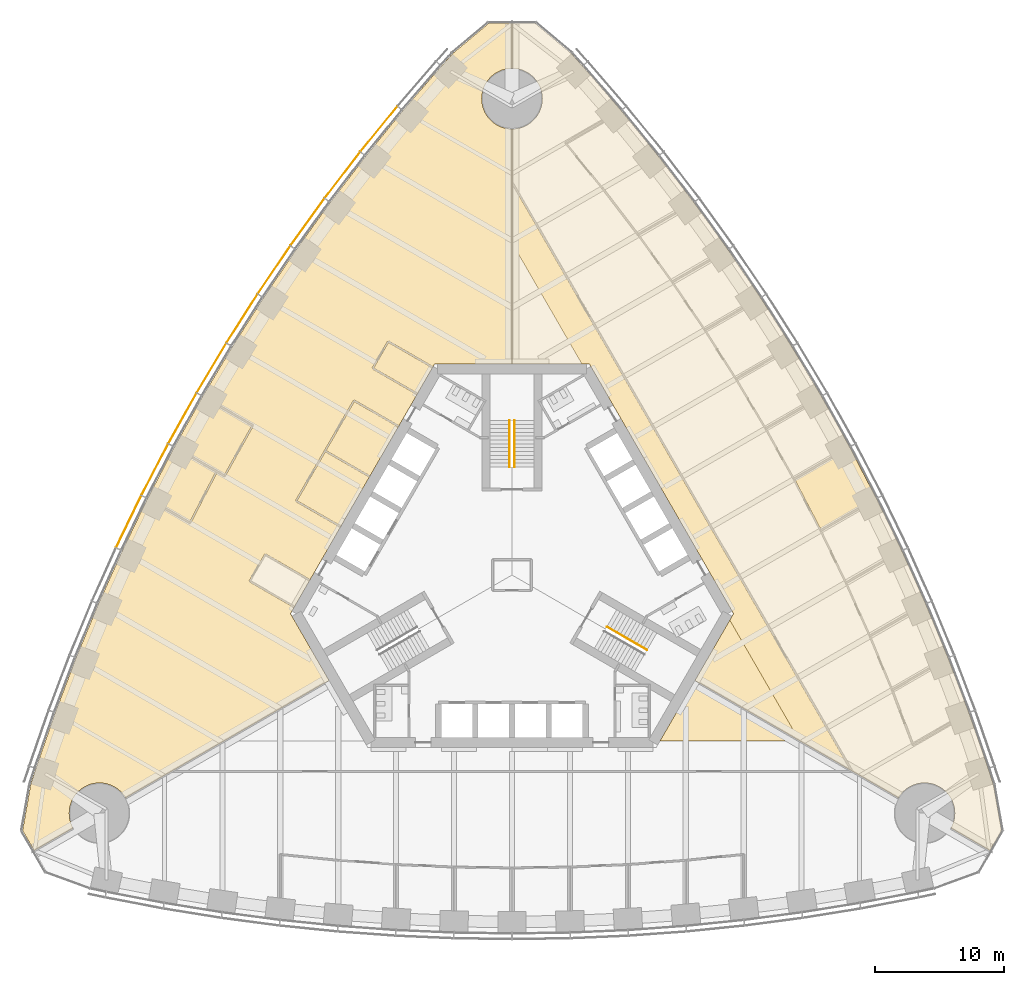
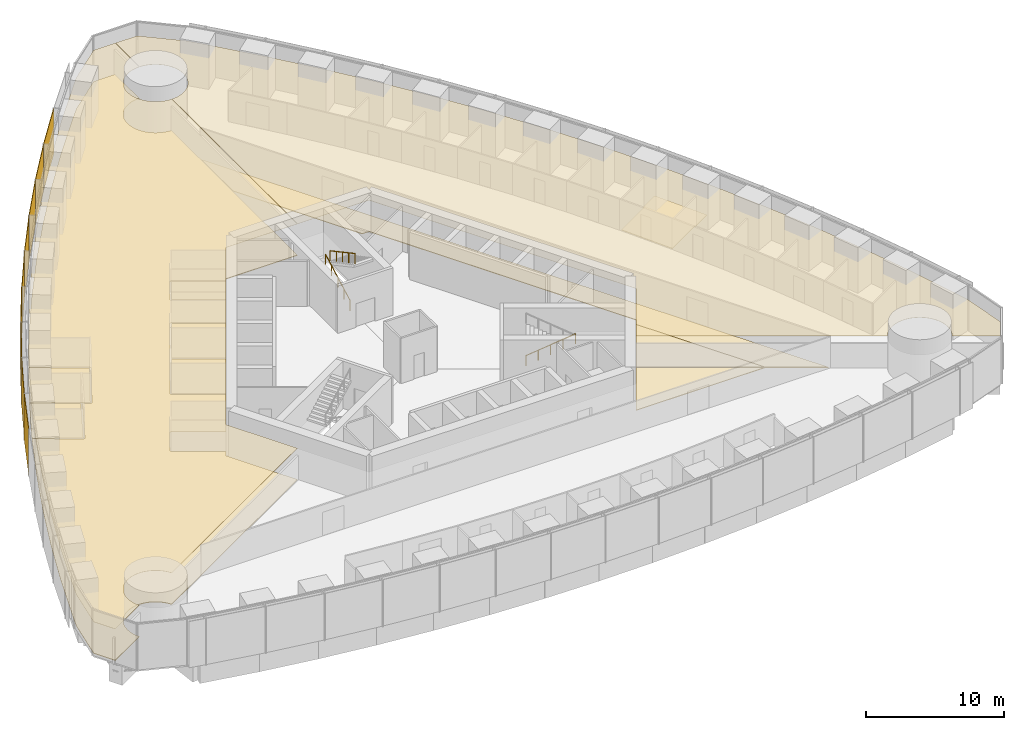
# One storey, part 15 of 18: 12 coverings, 9 shading devices, 3 railings.
"""IFC4 building model written with IfcOpenShell, lengths in metres."""

import ifcopenshell
import ifcopenshell.guid

model = None  # the IFC model being written
_history = None  # IfcOwnerHistory: only IFC2X3 demands one
_inside = {}  # id of a spatial element -> (the spatial element, [elements in it])
_under = {}  # id of a project, library or spatial element -> (it, [spatial elements below it])
_declared = {}  # id of a project -> (the project, [libraries it declares])
_typed = {}  # id of a type object -> (the type object, [elements of that type])
_made_of = {}  # id of a material, layer set ... -> (it, [elements and type objects made of it])


def new_model(schema):
    """Start an empty IFC model of exactly this schema.

    Asked for "IFC4X3", IfcOpenShell would pick the latest addendum, in which some entities
    have other attributes; the version numbers below select the first issue.
    IFC2X3 requires an IfcOwnerHistory on every rooted entity: one is made here for all.
    """
    global model, _history
    if schema == "IFC4X3":
        model = ifcopenshell.file(schema_version=(4, 3, 0, 0))
    else:
        model = ifcopenshell.file(schema=schema)
    _inside.clear()
    _under.clear()
    _declared.clear()
    _typed.clear()
    _made_of.clear()
    _history = None
    if model.schema == "IFC2X3":
        org = make("IfcOrganization", Name="unknown")
        user = make(
            "IfcPersonAndOrganization",
            ThePerson=make("IfcPerson", FamilyName="unknown"),
            TheOrganization=org,
        )
        app = make(
            "IfcApplication",
            ApplicationDeveloper=org,
            Version="unknown",
            ApplicationFullName="unknown",
            ApplicationIdentifier="unknown",
        )
        _history = make(
            "IfcOwnerHistory",
            OwningUser=user,
            OwningApplication=app,
            ChangeAction="ADDED",
            CreationDate=0,
        )
    return model


def make(cls, **values):
    """One entity of the class cls with the attributes given. An attribute that is None is left unset."""
    return model.create_entity(
        cls, **{name: value for name, value in values.items() if value is not None}
    )


def rooted(cls, **values):
    """An entity with a GlobalId (a new one), such as an element, a storey or a relation."""
    return make(cls, GlobalId=ifcopenshell.guid.new(), OwnerHistory=_history, **values)


def si_unit(unit_type, name, prefix=None):
    """IfcSIUnit, for example si_unit("LENGTHUNIT", "METRE", prefix="MILLI")."""
    return make("IfcSIUnit", UnitType=unit_type, Prefix=prefix, Name=name)


def assignment(units):
    """IfcUnitAssignment: the units of a project."""
    return None if units is None else make("IfcUnitAssignment", Units=units)


def point(xyz):
    """IfcCartesianPoint."""
    return None if xyz is None else make("IfcCartesianPoint", Coordinates=xyz)


def direction(xyz):
    """IfcDirection."""
    return None if xyz is None else make("IfcDirection", DirectionRatios=xyz)


def frame(location, z_axis=None, x_axis=None):
    """IfcAxis2Placement3D, a coordinate frame: its origin and axes. An axis left out is left unset."""
    return make(
        "IfcAxis2Placement3D",
        Location=point(location),
        Axis=direction(z_axis),
        RefDirection=direction(x_axis),
    )


def frame_2d(location, x_axis=None):
    """IfcAxis2Placement2D, a coordinate frame in the plane: its origin and x axis."""
    return make(
        "IfcAxis2Placement2D", Location=point(location), RefDirection=direction(x_axis)
    )


def origin():
    """The frame at (0, 0, 0) with its axes left unset."""
    return frame((0.0, 0.0, 0.0))


def origin_2d():
    """The frame at (0, 0) in the plane with its x axis left unset."""
    return frame_2d((0.0, 0.0))


def place(relative_to, where):
    """IfcLocalPlacement: puts the frame where relative to a parent placement (None: the world)."""
    return make(
        "IfcLocalPlacement", PlacementRelTo=relative_to, RelativePlacement=where
    )


def context(
    kind, dimensions, precision=None, world=None, true_north=None, identifier=None
):
    """IfcGeometricRepresentationContext, for example the 3D "Model" context."""
    return make(
        "IfcGeometricRepresentationContext",
        ContextIdentifier=identifier,
        ContextType=kind,
        CoordinateSpaceDimension=dimensions,
        Precision=precision,
        WorldCoordinateSystem=world,
        TrueNorth=true_north,
    )


def subcontext(parent, identifier, kind, view, scale=None):
    """IfcGeometricRepresentationSubContext, for example "Body" below "Model"."""
    return make(
        "IfcGeometricRepresentationSubContext",
        ContextIdentifier=identifier,
        ContextType=kind,
        ParentContext=parent,
        TargetScale=scale,
        TargetView=view,
    )


def project(units=None, contexts=None):
    """IfcProject with its units and contexts."""
    return rooted(
        "IfcProject",
        Name="project",
        RepresentationContexts=contexts,
        UnitsInContext=assignment(units),
    )


def spatial(cls, under=None, at=None, **own):
    """A site, building, storey or space (cls), placed at a placement, below another one or the project."""
    s = rooted(cls, ObjectPlacement=at, **own)
    if under is not None:
        _under.setdefault(under.id(), (under, []))[1].append(s)
    return s


def polyline(points):
    """IfcPolyline through the points."""
    return make("IfcPolyline", Points=[point(p) for p in points])


def profile(cls, at=None, kind="AREA", **sizes):
    """A parametric profile (cls). Its sizes go by their IFC names, for example OverallWidth=200.0."""
    return make(cls, ProfileType=kind, Position=at, **sizes)


def rectangle(**sizes):
    """IfcRectangleProfileDef."""
    return profile("IfcRectangleProfileDef", **sizes)


def circle(**sizes):
    """IfcCircleProfileDef."""
    return profile("IfcCircleProfileDef", **sizes)


def outline(outer, holes=None, kind="AREA"):
    """IfcArbitraryClosedProfileDef: a profile drawn as a closed curve; with holes, ...WithVoids."""
    if holes is None:
        return make("IfcArbitraryClosedProfileDef", ProfileType=kind, OuterCurve=outer)
    return make(
        "IfcArbitraryProfileDefWithVoids",
        ProfileType=kind,
        OuterCurve=outer,
        InnerCurves=holes,
    )


def extrude(swept, where, along, depth):
    """IfcExtrudedAreaSolid: the profile swept, set in the frame where, extruded along a direction by depth."""
    return make(
        "IfcExtrudedAreaSolid",
        SweptArea=swept,
        Position=where,
        ExtrudedDirection=direction(along),
        Depth=depth,
    )


def shape(context_of_items, identifier, shape_type, items):
    """IfcShapeRepresentation: the items that make up one representation, for example the "Body"."""
    return make(
        "IfcShapeRepresentation",
        ContextOfItems=context_of_items,
        RepresentationIdentifier=identifier,
        RepresentationType=shape_type,
        Items=items,
    )


def material(Name=None, Category=None):
    """IfcMaterial."""
    return make("IfcMaterial", Name=Name, Category=Category)


def layer(
    of_material, thickness, ventilated=None, Name=None, Category=None, Priority=None
):
    """IfcMaterialLayer: one layer of a wall or slab, of a material (None: an air gap)."""
    return make(
        "IfcMaterialLayer",
        Material=of_material,
        LayerThickness=thickness,
        IsVentilated=ventilated,
        Name=Name,
        Category=Category,
        Priority=Priority,
    )


def layer_set(layers, Name=None):
    """IfcMaterialLayerSet."""
    return make("IfcMaterialLayerSet", MaterialLayers=layers, LayerSetName=Name)


def made_of(thing, what):
    """Note that an element or type object is made of a material, layer set ...; save() writes the relation."""
    if what is not None:
        _made_of.setdefault(what.id(), (what, []))[1].append(thing)
    return thing


def type_object(cls, material=None, **own):
    """A type object (cls), such as IfcWallType, which elements share."""
    return made_of(rooted(cls, **own), material)


def element(
    cls,
    number,
    at=None,
    inside=None,
    cuts=None,
    type_object=None,
    material=None,
    context=None,
    identifier="Body",
    shape_type=None,
    held_by="IfcProductDefinitionShape",
    body=None,
    shapes=None,
    **own,
):
    """One element of the class cls, such as IfcWall. Its Tag is "e" and its number.

    at: its placement. inside: the storey or other place that contains it. cuts: it is an
    opening in that element (IfcRelVoidsElement). A single representation is given by context,
    identifier, shape_type and body (its items); several are given by shapes. held_by: the class
    of the entity that holds the representations. save() writes the other relations.
    """
    e = rooted(cls, Tag="e%d" % number, ObjectPlacement=at, **own)
    if body is not None:
        shapes = [shape(context, identifier, shape_type, body)]
    if shapes is not None:
        e.Representation = make(held_by, Representations=shapes)
    if inside is not None:
        _inside.setdefault(inside.id(), (inside, []))[1].append(e)
    if cuts is not None:
        rooted(
            "IfcRelVoidsElement", RelatingBuildingElement=cuts, RelatedOpeningElement=e
        )
    if type_object is not None:
        _typed.setdefault(type_object.id(), (type_object, []))[1].append(e)
    return made_of(e, material)


def aggregate(whole, parts):
    """IfcRelAggregates: a whole, such as a stair, and the parts it consists of."""
    return rooted("IfcRelAggregates", RelatingObject=whole, RelatedObjects=parts)


def save(model, path):
    """Write the relations noted so far, then the file.

    IfcRelAggregates (storeys below a building ...), IfcRelContainedInSpatialStructure (elements
    in a storey), IfcRelDefinesByType, IfcRelAssociatesMaterial and IfcRelDeclares: one each for
    every whole, place, type object, material and project.
    """
    for whole, parts in _under.values():
        aggregate(whole, parts)
    for where, things in _inside.values():
        rooted(
            "IfcRelContainedInSpatialStructure",
            RelatedElements=things,
            RelatingStructure=where,
        )
    for kind, things in _typed.values():
        rooted("IfcRelDefinesByType", RelatedObjects=things, RelatingType=kind)
    for what, things in _made_of.values():
        rooted("IfcRelAssociatesMaterial", RelatedObjects=things, RelatingMaterial=what)
    for by, libraries in _declared.values():
        rooted("IfcRelDeclares", RelatingContext=by, RelatedDefinitions=libraries)
    model.write(path)


model = new_model("IFC4")

# Units and contexts
model_context = context("Model", 3, precision=1e-05, world=origin(), true_north=direction((0.0, 1.0)))
body_context = subcontext(model_context, "Body", "Model", "MODEL_VIEW")
ifc_project = project(units=[si_unit("LENGTHUNIT", "METRE"), si_unit("AREAUNIT", "SQUARE_METRE"), si_unit("VOLUMEUNIT", "CUBIC_METRE"), si_unit("PLANEANGLEUNIT", "RADIAN"), si_unit("MASSUNIT", "GRAM", prefix="KILO")], contexts=[model_context])

# Site, building, storey
site_placement = place(None, origin())
site = spatial("IfcSite", under=ifc_project, at=site_placement, CompositionType="ELEMENT")
building_placement = place(site_placement, origin())
building = spatial("IfcBuilding", under=site, at=building_placement, Name="Trefoil Bronze Tower", CompositionType="ELEMENT")
storey_placement = place(building_placement, frame((0.0, 0.0, 62.699951171875)))
storey = spatial("IfcBuildingStorey", under=building, at=storey_placement, Name="L14", CompositionType="ELEMENT", Elevation=62.699951171875)

# Shading devices
ifc_material_1 = material(Name="Perforated bronze sheet", Category="bronze")
ifc_layer_1 = layer(ifc_material_1, 0.0400390625)
ifc_layer_set_1 = layer_set([ifc_layer_1], Name="Bronze solar screen panel")
shading_device_type = type_object("IfcShadingDeviceType", Name="Bronze solar screen panel", PredefinedType="SHUTTER", material=ifc_layer_set_1)
shading_device_1_placement = place(storey_placement, frame((-10.338623046875, 34.6474609375, 0.050048828125), z_axis=(0.0, 0.0, 1.0), x_axis=(-0.631810729457, -0.775122701346, 0.0)))
element("IfcShadingDevice", 1, at=shading_device_1_placement, inside=storey, type_object=shading_device_type, Name="Solar screen CW-A L14 F3 bay 3", PredefinedType="SHUTTER", context=body_context, shape_type="SweptSolid", body=[
    extrude(rectangle(XDim=4.5283203125, YDim=0.0400390625, at=origin_2d()), origin(), (0.0, 0.0, 1.0), 4.10009765625),
])
shading_device_2_placement = place(storey_placement, frame((-13.170166015625, 31.06787109375, 0.050048828125), z_axis=(0.0, 0.0, 1.0), x_axis=(-0.608807670879, -0.793317855515, 0.0)))
element("IfcShadingDevice", 2, at=shading_device_2_placement, inside=storey, type_object=shading_device_type, Name="Solar screen CW-A L14 F3 bay 4", PredefinedType="SHUTTER", context=body_context, shape_type="SweptSolid", body=[
    extrude(rectangle(XDim=4.5087890625, YDim=0.0400390625, at=origin_2d()), origin(), (0.0, 0.0, 1.0), 4.10009765625),
])
shading_device_3_placement = place(storey_placement, frame((-15.88525390625, 27.421142578125, 0.050048828125), z_axis=(0.0, 0.0, 1.0), x_axis=(-0.585372522213, -0.810764460394, 0.0)))
element("IfcShadingDevice", 3, at=shading_device_3_placement, inside=storey, type_object=shading_device_type, Name="Solar screen CW-A L14 F3 bay 5", PredefinedType="SHUTTER", context=body_context, shape_type="SweptSolid", body=[
    extrude(rectangle(XDim=4.493408203125, YDim=0.0400390625, at=origin_2d()), origin(), (0.0, 0.0, 1.0), 4.10009765625),
])
shading_device_4_placement = place(storey_placement, frame((-18.48486328125, 23.707763671875, 0.050048828125), z_axis=(0.0, 0.0, 1.0), x_axis=(-0.56150968077, -0.827470167681, 0.0)))
element("IfcShadingDevice", 4, at=shading_device_4_placement, inside=storey, type_object=shading_device_type, Name="Solar screen CW-A L14 F3 bay 6", PredefinedType="SHUTTER", context=body_context, shape_type="SweptSolid", body=[
    extrude(rectangle(XDim=4.48193359375, YDim=0.0400390625, at=origin_2d()), origin(), (0.0, 0.0, 1.0), 4.10009765625),
])
shading_device_5_placement = place(storey_placement, frame((-20.97021484375, 19.928466796875, 0.050048828125), z_axis=(0.0, 0.0, 1.0), x_axis=(-0.537222392469, -0.843440632783, 0.0)))
element("IfcShadingDevice", 5, at=shading_device_5_placement, inside=storey, type_object=shading_device_type, Name="Solar screen CW-A L14 F3 bay 7", PredefinedType="SHUTTER", context=body_context, shape_type="SweptSolid", body=[
    extrude(rectangle(XDim=4.474365234375, YDim=0.0400390625, at=origin_2d()), origin(), (0.0, 0.0, 1.0), 4.10009765625),
])
for number, where, z_axis, x_axis, name in (
    (6, (-23.341552734375, 16.083251953125, 0.050048828125), (0.0, 0.0, 1.0), (-0.51251279404, -0.858679588639, 0.0), "Solar screen CW-A L14 F3 bay 8"),
    (7, (-25.599365234375, 12.172607421875, 0.050048828125), (0.0, 0.0, 1.0), (-0.487381940453, -0.873188893722, 0.0), "Solar screen CW-A L14 F3 bay 9"),
):
    element("IfcShadingDevice", number, at=place(storey_placement, frame(where, z_axis=z_axis, x_axis=x_axis)), inside=storey, type_object=shading_device_type, Name=name, PredefinedType="SHUTTER", context=body_context, shape_type="SweptSolid", body=[
        extrude(rectangle(XDim=4.470458984375, YDim=0.0400390625, at=origin_2d()), origin(), (0.0, 0.0, 1.0), 4.10009765625),
    ])
shading_device_6_placement = place(storey_placement, frame((-27.74365234375, 8.1962890625, 0.050048828125), z_axis=(0.0, 0.0, 1.0), x_axis=(-0.46182981834, -0.886968555752, 0.0)))
element("IfcShadingDevice", 8, at=shading_device_6_placement, inside=storey, type_object=shading_device_type, Name="Solar screen CW-A L14 F3 bay 10", PredefinedType="SHUTTER", context=body_context, shape_type="SweptSolid", body=[
    extrude(rectangle(XDim=4.474365234375, YDim=0.0400390625, at=origin_2d()), origin(), (0.0, 0.0, 1.0), 4.10009765625),
])
shading_device_7_placement = place(storey_placement, frame((-29.77392578125, 4.154541015625, 0.050048828125), z_axis=(0.0, 0.0, 1.0), x_axis=(-0.4358553457, -0.900016731858, 0.0)))
element("IfcShadingDevice", 9, at=shading_device_7_placement, inside=storey, type_object=shading_device_type, Name="Solar screen CW-A L14 F3 bay 11", PredefinedType="SHUTTER", context=body_context, shape_type="SweptSolid", body=[
    extrude(rectangle(XDim=4.48193359375, YDim=0.0400390625, at=origin_2d()), origin(), (0.0, 0.0, 1.0), 4.10009765625),
])

# Railings
ifc_material_2 = material(Name="Steel handrail", Category="steel")
railing_type = type_object("IfcRailingType", Name="Handrail 900", PredefinedType="HANDRAIL", material=ifc_material_2)
railing_1_placement = place(storey_placement, frame((7.365966796875, -4.021728515625, 0.16162109375)))
element("IfcRailing", 10, at=railing_1_placement, inside=storey, type_object=railing_type, Name="Handrail ST1 flight 1 L14", PredefinedType="HANDRAIL", context=body_context, shape_type="SweptSolid", body=[
    extrude(circle(Radius=0.02392578125, at=origin_2d()), frame((0.0, 0.0, 0.8759765625), z_axis=(0.76250339821, -0.440245697338, 0.474101564745), x_axis=(0.500012057535, 0.866018442252, 0.0)), (0.0, 0.0, 1.0), 4.088623046875),
    extrude(circle(Radius=0.02099609375, at=origin_2d()), origin(), (0.0, 0.0, 1.0), 0.851806640625),
    extrude(circle(Radius=0.02099609375, at=origin_2d()), frame((0.779296875, -0.449951171875, 0.484619140625)), (0.0, 0.0, 1.0), 0.851806640625),
    extrude(circle(Radius=0.02099609375, at=origin_2d()), frame((1.558837890625, -0.89990234375, 0.96923828125)), (0.0, 0.0, 1.0), 0.851806640625),
    extrude(circle(Radius=0.02099609375, at=origin_2d()), frame((2.33837890625, -1.35009765625, 1.453857421875)), (0.0, 0.0, 1.0), 0.851806640625),
    extrude(circle(Radius=0.02099609375, at=origin_2d()), frame((3.11767578125, -1.800048828125, 1.9384765625)), (0.0, 0.0, 1.0), 0.851806640625),
])
railing_2_placement = place(storey_placement, frame((-0.199951171875, 8.389892578125, 0.16162109375)))
element("IfcRailing", 11, at=railing_2_placement, inside=storey, type_object=railing_type, Name="Handrail ST2 flight 1 L14", PredefinedType="HANDRAIL", context=body_context, shape_type="SweptSolid", body=[
    extrude(circle(Radius=0.02392578125, at=origin_2d()), frame((0.0, 0.0, 0.8759765625), z_axis=(0.0, 0.880474934443, 0.474092701714), x_axis=(-1.0, 0.0, 0.0)), (0.0, 0.0, 1.0), 4.0888671875),
    extrude(circle(Radius=0.02099609375, at=origin_2d()), origin(), (0.0, 0.0, 1.0), 0.851806640625),
    extrude(circle(Radius=0.02099609375, at=origin_2d()), frame((0.0, 0.89990234375, 0.484619140625)), (0.0, 0.0, 1.0), 0.851806640625),
    extrude(circle(Radius=0.02099609375, at=origin_2d()), frame((0.0, 1.800048828125, 0.96923828125)), (0.0, 0.0, 1.0), 0.851806640625),
    extrude(circle(Radius=0.02099609375, at=origin_2d()), frame((0.0, 2.7001953125, 1.453857421875)), (0.0, 0.0, 1.0), 0.851806640625),
    extrude(circle(Radius=0.02099609375, at=origin_2d()), frame((0.0, 3.60009765625, 1.9384765625)), (0.0, 0.0, 1.0), 0.851806640625),
])
railing_3_placement = place(storey_placement, frame((0.199951171875, 11.989990234375, 2.261474609375)))
element("IfcRailing", 12, at=railing_3_placement, inside=storey, type_object=railing_type, Name="Handrail ST2 flight 2 L14", PredefinedType="HANDRAIL", context=body_context, shape_type="SweptSolid", body=[
    extrude(circle(Radius=0.02392578125, at=origin_2d()), frame((0.0, 0.0, 0.8759765625), z_axis=(0.0, -0.880474934443, 0.474092701714), x_axis=(1.0, 0.0, 0.0)), (0.0, 0.0, 1.0), 4.0888671875),
    extrude(circle(Radius=0.02099609375, at=origin_2d()), origin(), (0.0, 0.0, 1.0), 0.851806640625),
    extrude(circle(Radius=0.02099609375, at=origin_2d()), frame((0.0, -0.89990234375, 0.484619140625)), (0.0, 0.0, 1.0), 0.851806640625),
    extrude(circle(Radius=0.02099609375, at=origin_2d()), frame((0.0, -1.800048828125, 0.96923828125)), (0.0, 0.0, 1.0), 0.851806640625),
    extrude(circle(Radius=0.02099609375, at=origin_2d()), frame((0.0, -2.7001953125, 1.453857421875)), (0.0, 0.0, 1.0), 0.851806640625),
    extrude(circle(Radius=0.02099609375, at=origin_2d()), frame((0.0, -3.60009765625, 1.9384765625)), (0.0, 0.0, 1.0), 0.851806640625),
])

# Coverings
ifc_material_3 = material(Name="Acoustic ceiling panels", Category="mineral fibre")
ifc_layer_2 = layer(ifc_material_3, 0.02001953125)
ifc_layer_set_2 = layer_set([ifc_layer_2], Name="Office ceiling 20")
covering_type_1 = type_object("IfcCoveringType", Name="Office ceiling 20", PredefinedType="CEILING", material=ifc_layer_set_2)
covering_1_placement = place(storey_placement, frame((0.0, 0.0, 2.900146484375)))
element("IfcCovering", 13, at=covering_1_placement, inside=storey, type_object=covering_type_1, Name="Ceiling L14 Open-plan office F2", PredefinedType="CEILING", context=body_context, shape_type="SweptSolid", body=[
    extrude(outline(polyline([(5.4814453125, 39.537841796875), (8.47998046875, 36.072998046875), (11.360107421875, 32.53955078125), (14.123291015625, 28.938720703125), (16.771240234375, 25.271484375), (19.3046875, 21.537841796875), (21.724609375, 17.73876953125), (24.031005859375, 13.87451171875), (26.224609375, 9.944580078125), (28.3046875, 5.949462890625), (30.271240234375, 1.888671875), (32.123291015625, -2.23828125), (33.860107421875, -6.431640625), (35.47998046875, -10.6923828125), (36.9814453125, -15.021728515625), (37.381103515625, -16.248779296875), (38.0146484375, -19.841552734375), (37.110595703125, -21.4072265625), (34.084716796875, -19.661865234375), (34.115478515625, -19.60791015625), (34.167236328125, -19.5048828125), (34.214111328125, -19.3994140625), (34.255615234375, -19.291748046875), (34.291748046875, -19.18212890625), (34.322509765625, -19.071044921875), (34.347900390625, -18.95849609375), (34.367431640625, -18.8447265625), (34.381591796875, -18.730224609375), (34.39013671875, -18.615234375), (34.392822265625, -18.5), (34.39013671875, -18.384765625), (34.381591796875, -18.269775390625), (34.367431640625, -18.1552734375), (34.347900390625, -18.04150390625), (34.322509765625, -17.928955078125), (34.291748046875, -17.81787109375), (34.255615234375, -17.708251953125), (34.214111328125, -17.6005859375), (34.167236328125, -17.4951171875), (34.115478515625, -17.39208984375), (34.05859375, -17.2919921875), (33.996826171875, -17.1943359375), (33.930419921875, -17.10009765625), (33.859619140625, -17.00927734375), (33.7841796875, -16.921875), (33.70458984375, -16.83837890625), (33.62109375, -16.7587890625), (33.53369140625, -16.683349609375), (33.44287109375, -16.612548828125), (33.348388671875, -16.5458984375), (33.251220703125, -16.484375), (33.150634765625, -16.427490234375), (33.047607421875, -16.37548828125), (32.942138671875, -16.328857421875), (32.834716796875, -16.287353515625), (32.72509765625, -16.251220703125), (32.614013671875, -16.220458984375), (32.50146484375, -16.1953125), (32.3876953125, -16.17529296875), (32.273193359375, -16.161376953125), (32.158203125, -16.15283203125), (32.04296875, -16.14990234375), (31.927490234375, -16.15283203125), (31.8125, -16.161376953125), (31.697998046875, -16.17529296875), (31.58447265625, -16.1953125), (31.471923828125, -16.220458984375), (31.36083984375, -16.251220703125), (31.251220703125, -16.287353515625), (31.1435546875, -16.328857421875), (31.0380859375, -16.37548828125), (30.935302734375, -16.427490234375), (30.834716796875, -16.484375), (30.7373046875, -16.5458984375), (30.64306640625, -16.612548828125), (30.552001953125, -16.683349609375), (30.46484375, -16.7587890625), (30.381103515625, -16.83837890625), (30.3017578125, -16.921875), (30.226318359375, -17.00927734375), (30.155517578125, -17.10009765625), (30.089111328125, -17.1943359375), (30.02734375, -17.2919921875), (30.0146484375, -17.31396484375), (14.205810546875, -8.194580078125), (17.205078125, -3.0), (6.00439453125, 16.39990234375), (0.006103515625, 16.39990234375), (0.012939453125, 34.650390625), (0.115234375, 34.65283203125), (0.230224609375, 34.661376953125), (0.3447265625, 34.67529296875), (0.45849609375, 34.6953125), (0.571044921875, 34.720458984375), (0.68212890625, 34.751220703125), (0.791748046875, 34.787353515625), (0.8994140625, 34.828857421875), (1.0048828125, 34.87548828125), (1.10791015625, 34.927490234375), (1.2080078125, 34.984375), (1.3056640625, 35.0458984375), (1.39990234375, 35.112548828125), (1.49072265625, 35.183349609375), (1.578125, 35.2587890625), (1.66162109375, 35.33837890625), (1.7412109375, 35.421875), (1.816650390625, 35.50927734375), (1.887451171875, 35.60009765625), (1.9541015625, 35.6943359375), (2.015625, 35.7919921875), (2.072509765625, 35.89208984375), (2.12451171875, 35.9951171875), (2.171142578125, 36.1005859375), (2.212646484375, 36.208251953125), (2.248779296875, 36.31787109375), (2.279541015625, 36.428955078125), (2.3046875, 36.54150390625), (2.32470703125, 36.6552734375), (2.338623046875, 36.769775390625), (2.34716796875, 36.884765625), (2.35009765625, 37.0), (2.34716796875, 37.115234375), (2.338623046875, 37.230224609375), (2.32470703125, 37.3447265625), (2.3046875, 37.45849609375), (2.279541015625, 37.571044921875), (2.248779296875, 37.68212890625), (2.212646484375, 37.791748046875), (2.171142578125, 37.8994140625), (2.12451171875, 38.0048828125), (2.072509765625, 38.10791015625), (2.015625, 38.2080078125), (1.9541015625, 38.3056640625), (1.887451171875, 38.39990234375), (1.816650390625, 38.49072265625), (1.7412109375, 38.578125), (1.66162109375, 38.66162109375), (1.578125, 38.7412109375), (1.49072265625, 38.816650390625), (1.39990234375, 38.887451171875), (1.3056640625, 38.9541015625), (1.2080078125, 39.015625), (1.10791015625, 39.072509765625), (1.0048828125, 39.12451171875), (0.8994140625, 39.171142578125), (0.791748046875, 39.212646484375), (0.68212890625, 39.248779296875), (0.571044921875, 39.279541015625), (0.45849609375, 39.3046875), (0.3447265625, 39.32470703125), (0.230224609375, 39.338623046875), (0.115234375, 39.34716796875), (0.014892578125, 39.349609375), (0.01611328125, 42.84228515625), (1.82421875, 42.84228515625), (4.618896484375, 40.497314453125), (5.4814453125, 39.537841796875)])), origin(), (0.0, 0.0, 1.0), 0.02001953125),
])
covering_2_placement = place(storey_placement, frame((0.0, 0.0, 2.900146484375)))
element("IfcCovering", 14, at=covering_2_placement, inside=storey, type_object=covering_type_1, Name="Ceiling L14 Workspace F3", PredefinedType="CEILING", context=body_context, shape_type="SweptSolid", body=[
    extrude(outline(polyline([(-36.9814453125, -15.021728515625), (-35.47998046875, -10.6923828125), (-33.860107421875, -6.431640625), (-32.123291015625, -2.23828125), (-30.271240234375, 1.888671875), (-28.3046875, 5.949462890625), (-26.224609375, 9.944580078125), (-24.031005859375, 13.87451171875), (-21.724609375, 17.73876953125), (-19.3046875, 21.537841796875), (-16.771240234375, 25.271484375), (-14.123291015625, 28.938720703125), (-11.360107421875, 32.53955078125), (-8.47998046875, 36.072998046875), (-5.4814453125, 39.537841796875), (-4.618896484375, 40.497314453125), (-1.82421875, 42.84228515625), (-0.01611328125, 42.84228515625), (-0.014892578125, 39.349609375), (-0.115234375, 39.34716796875), (-0.230224609375, 39.338623046875), (-0.3447265625, 39.32470703125), (-0.45849609375, 39.3046875), (-0.571044921875, 39.279541015625), (-0.68212890625, 39.248779296875), (-0.791748046875, 39.212646484375), (-0.8994140625, 39.171142578125), (-1.0048828125, 39.12451171875), (-1.10791015625, 39.072509765625), (-1.2080078125, 39.015625), (-1.3056640625, 38.9541015625), (-1.39990234375, 38.887451171875), (-1.49072265625, 38.816650390625), (-1.578125, 38.7412109375), (-1.66162109375, 38.66162109375), (-1.7412109375, 38.578125), (-1.816650390625, 38.49072265625), (-1.887451171875, 38.39990234375), (-1.9541015625, 38.3056640625), (-2.015625, 38.2080078125), (-2.072509765625, 38.10791015625), (-2.12451171875, 38.0048828125), (-2.171142578125, 37.8994140625), (-2.212646484375, 37.791748046875), (-2.248779296875, 37.68212890625), (-2.279541015625, 37.571044921875), (-2.3046875, 37.45849609375), (-2.32470703125, 37.3447265625), (-2.338623046875, 37.230224609375), (-2.34716796875, 37.115234375), (-2.35009765625, 37.0), (-2.34716796875, 36.884765625), (-2.338623046875, 36.769775390625), (-2.32470703125, 36.6552734375), (-2.3046875, 36.54150390625), (-2.279541015625, 36.428955078125), (-2.248779296875, 36.31787109375), (-2.212646484375, 36.208251953125), (-2.171142578125, 36.1005859375), (-2.12451171875, 35.9951171875), (-2.072509765625, 35.89208984375), (-2.015625, 35.7919921875), (-1.9541015625, 35.6943359375), (-1.887451171875, 35.60009765625), (-1.816650390625, 35.50927734375), (-1.7412109375, 35.421875), (-1.66162109375, 35.33837890625), (-1.578125, 35.2587890625), (-1.49072265625, 35.183349609375), (-1.39990234375, 35.112548828125), (-1.3056640625, 35.0458984375), (-1.2080078125, 34.984375), (-1.10791015625, 34.927490234375), (-1.0048828125, 34.87548828125), (-0.8994140625, 34.828857421875), (-0.791748046875, 34.787353515625), (-0.68212890625, 34.751220703125), (-0.571044921875, 34.720458984375), (-0.45849609375, 34.6953125), (-0.3447265625, 34.67529296875), (-0.230224609375, 34.661376953125), (-0.115234375, 34.65283203125), (-0.012939453125, 34.650390625), (-0.006103515625, 16.39990234375), (-6.00439453125, 16.39990234375), (-17.205078125, -3.0), (-14.205810546875, -8.194580078125), (-30.0146484375, -17.31396484375), (-30.02734375, -17.2919921875), (-30.089111328125, -17.1943359375), (-30.155517578125, -17.10009765625), (-30.226318359375, -17.00927734375), (-30.3017578125, -16.921875), (-30.381103515625, -16.83837890625), (-30.46484375, -16.7587890625), (-30.552001953125, -16.683349609375), (-30.64306640625, -16.612548828125), (-30.7373046875, -16.5458984375), (-30.834716796875, -16.484375), (-30.935302734375, -16.427490234375), (-31.0380859375, -16.37548828125), (-31.1435546875, -16.328857421875), (-31.251220703125, -16.287353515625), (-31.36083984375, -16.251220703125), (-31.471923828125, -16.220458984375), (-31.58447265625, -16.1953125), (-31.697998046875, -16.17529296875), (-31.8125, -16.161376953125), (-31.927490234375, -16.15283203125), (-32.04296875, -16.14990234375), (-32.158203125, -16.15283203125), (-32.273193359375, -16.161376953125), (-32.3876953125, -16.17529296875), (-32.50146484375, -16.1953125), (-32.614013671875, -16.220458984375), (-32.72509765625, -16.251220703125), (-32.834716796875, -16.287353515625), (-32.942138671875, -16.328857421875), (-33.047607421875, -16.37548828125), (-33.150634765625, -16.427490234375), (-33.251220703125, -16.484375), (-33.348388671875, -16.5458984375), (-33.44287109375, -16.612548828125), (-33.53369140625, -16.683349609375), (-33.62109375, -16.7587890625), (-33.70458984375, -16.83837890625), (-33.7841796875, -16.921875), (-33.859619140625, -17.00927734375), (-33.930419921875, -17.10009765625), (-33.996826171875, -17.1943359375), (-34.05859375, -17.2919921875), (-34.115478515625, -17.39208984375), (-34.167236328125, -17.4951171875), (-34.214111328125, -17.6005859375), (-34.255615234375, -17.708251953125), (-34.291748046875, -17.81787109375), (-34.322509765625, -17.928955078125), (-34.347900390625, -18.04150390625), (-34.367431640625, -18.1552734375), (-34.381591796875, -18.269775390625), (-34.39013671875, -18.384765625), (-34.392822265625, -18.5), (-34.39013671875, -18.615234375), (-34.381591796875, -18.730224609375), (-34.367431640625, -18.8447265625), (-34.347900390625, -18.95849609375), (-34.322509765625, -19.071044921875), (-34.291748046875, -19.18212890625), (-34.255615234375, -19.291748046875), (-34.214111328125, -19.3994140625), (-34.167236328125, -19.5048828125), (-34.115478515625, -19.60791015625), (-34.084716796875, -19.661865234375), (-37.110595703125, -21.4072265625), (-38.0146484375, -19.841552734375), (-37.381103515625, -16.248779296875), (-36.9814453125, -15.021728515625)])), origin(), (0.0, 0.0, 1.0), 0.02001953125),
])
ifc_material_4 = material(Name="Raised access floor panels", Category="steel")
ifc_layer_3 = layer(ifc_material_4, 0.050048828125)
ifc_layer_set_3 = layer_set([ifc_layer_3], Name="Raised access floor 150")
covering_type_2 = type_object("IfcCoveringType", Name="Raised access floor 150", PredefinedType="FLOORING", material=ifc_layer_set_3)
covering_3_placement = place(storey_placement, frame((0.0, 0.0, 0.10009765625)))
element("IfcCovering", 15, at=covering_3_placement, inside=storey, type_object=covering_type_2, Name="Raised floor L14 Open-plan office F1", PredefinedType="FLOORING", context=body_context, shape_type="SweptSolid", body=[
    extrude(outline(polyline([(14.19970703125, -8.205322265625), (22.32421875, -12.89990234375), (11.4892578125, -12.89990234375), (14.19970703125, -8.205322265625)])), origin(), (0.0, 0.0, 1.0), 0.050048828125),
])
covering_4_placement = place(storey_placement, frame((0.0, 0.0, 0.10009765625)))
element("IfcCovering", 16, at=covering_4_placement, inside=storey, type_object=covering_type_2, Name="Raised floor L14 Office F2", PredefinedType="FLOORING", context=body_context, shape_type="SweptSolid", body=[
    extrude(outline(polyline([(26.224609375, 9.944580078125), (28.3046875, 5.949462890625), (26.890869140625, 5.133056640625), (26.86083984375, 5.18505859375), (23.998779296875, 3.53271484375), (21.97412109375, 7.42138671875), (24.84228515625, 9.077392578125), (24.812255859375, 9.12939453125), (26.224609375, 9.944580078125)])), origin(), (0.0, 0.0, 1.0), 0.050048828125),
])
covering_5_placement = place(storey_placement, frame((0.0, 0.0, 0.10009765625)))
element("IfcCovering", 17, at=covering_5_placement, inside=storey, type_object=covering_type_2, Name="Raised floor L14 Corridor F2", PredefinedType="FLOORING", context=body_context, shape_type="SweptSolid", body=[
    extrude(outline(polyline([(26.31591796875, -15.180419921875), (22.333740234375, -12.88330078125), (16.91650390625, -3.5), (17.205078125, -3.0), (6.00439453125, 16.39990234375), (5.427001953125, 16.39990234375), (0.009765625, 25.783203125), (0.011474609375, 30.38037109375), (26.31591796875, -15.180419921875)])), origin(), (0.0, 0.0, 1.0), 0.050048828125),
])
covering_6_placement = place(storey_placement, frame((0.0, 0.0, 0.10009765625)))
element("IfcCovering", 18, at=covering_6_placement, inside=storey, type_object=covering_type_2, Name="Raised floor L14 Open-plan office F2", PredefinedType="FLOORING", context=body_context, shape_type="SweptSolid", body=[
    extrude(outline(polyline([(22.333740234375, -12.88330078125), (14.205810546875, -8.194580078125), (16.91650390625, -3.5), (22.333740234375, -12.88330078125)])), origin(), (0.0, 0.0, 1.0), 0.050048828125),
])
covering_7_placement = place(storey_placement, frame((0.0, 0.0, 0.10009765625)))
element("IfcCovering", 19, at=covering_7_placement, inside=storey, type_object=covering_type_2, Name="Raised floor L14 Project room F3", PredefinedType="FLOORING", context=body_context, shape_type="SweptSolid", body=[
    extrude(outline(polyline([(-11.024658203125, 7.70458984375), (-14.43701171875, 9.674560546875), (-12.246826171875, 13.4677734375), (-8.834716796875, 11.497802734375), (-11.024658203125, 7.70458984375)])), origin(), (0.0, 0.0, 1.0), 0.050048828125),
])
covering_8_placement = place(storey_placement, frame((0.0, 0.0, 0.10009765625)))
element("IfcCovering", 20, at=covering_8_placement, inside=storey, type_object=covering_type_2, Name="Raised floor L14 Project room F3", PredefinedType="FLOORING", context=body_context, shape_type="SweptSolid", body=[
    extrude(outline(polyline([(-13.274658203125, 3.8076171875), (-16.68701171875, 5.777587890625), (-14.496826171875, 9.57080078125), (-11.084716796875, 7.6005859375), (-13.274658203125, 3.8076171875)])), origin(), (0.0, 0.0, 1.0), 0.050048828125),
])
covering_9_placement = place(storey_placement, frame((0.0, 0.0, 0.10009765625)))
element("IfcCovering", 21, at=covering_9_placement, inside=storey, type_object=covering_type_2, Name="Raised floor L14 Comms room F3", PredefinedType="FLOORING", context=body_context, shape_type="SweptSolid", body=[
    extrude(outline(polyline([(-7.32470703125, 14.11328125), (-10.73681640625, 16.083251953125), (-9.596923828125, 18.0576171875), (-6.184814453125, 16.087646484375), (-7.32470703125, 14.11328125)])), origin(), (0.0, 0.0, 1.0), 0.050048828125),
])
covering_10_placement = place(storey_placement, frame((0.0, 0.0, 0.10009765625)))
element("IfcCovering", 22, at=covering_10_placement, inside=storey, type_object=covering_type_2, Name="Raised floor L14 Project room F3", PredefinedType="FLOORING", context=body_context, shape_type="SweptSolid", body=[
    extrude(outline(polyline([(-26.224609375, 9.944580078125), (-24.031005859375, 13.87451171875), (-22.619384765625, 13.059326171875), (-22.6494140625, 13.00732421875), (-20.215087890625, 11.60205078125), (-22.35009765625, 7.777099609375), (-24.7822265625, 9.18115234375), (-24.812255859375, 9.12939453125), (-26.224609375, 9.944580078125)])), origin(), (0.0, 0.0, 1.0), 0.050048828125),
])
covering_11_placement = place(storey_placement, frame((0.0, 0.0, 0.10009765625)))
element("IfcCovering", 23, at=covering_11_placement, inside=storey, type_object=covering_type_2, Name="Raised floor L14 Pantry F3", PredefinedType="FLOORING", context=body_context, shape_type="SweptSolid", body=[
    extrude(outline(polyline([(-28.3046875, 5.949462890625), (-26.224609375, 9.944580078125), (-24.812255859375, 9.12939453125), (-24.84228515625, 9.077392578125), (-23.013427734375, 8.021484375), (-25.0380859375, 4.1328125), (-26.86083984375, 5.18505859375), (-26.890869140625, 5.133056640625), (-28.3046875, 5.949462890625)])), origin(), (0.0, 0.0, 1.0), 0.050048828125),
])
covering_12_placement = place(storey_placement, frame((0.0, 0.0, 0.10009765625)))
element("IfcCovering", 24, at=covering_12_placement, inside=storey, type_object=covering_type_2, Name="Raised floor L14 Workspace F3", PredefinedType="FLOORING", context=body_context, shape_type="SweptSolid", body=[
    extrude(outline(polyline([(-30.271240234375, 1.888671875), (-28.3046875, 5.949462890625), (-26.890869140625, 5.133056640625), (-26.9208984375, 5.0810546875), (-25.043701171875, 3.99755859375), (-25.013916015625, 4.04931640625), (-24.960693359375, 4.021728515625), (-22.909423828125, 7.961181640625), (-22.357421875, 7.642578125), (-22.327392578125, 7.694580078125), (-22.27490234375, 7.665283203125), (-20.08154296875, 11.59521484375), (-20.134033203125, 11.62451171875), (-20.10400390625, 11.67626953125), (-22.589599609375, 13.111328125), (-22.619384765625, 13.059326171875), (-24.031005859375, 13.87451171875), (-21.724609375, 17.73876953125), (-19.3046875, 21.537841796875), (-16.771240234375, 25.271484375), (-14.123291015625, 28.938720703125), (-11.360107421875, 32.53955078125), (-8.47998046875, 36.072998046875), (-5.4814453125, 39.537841796875), (-4.618896484375, 40.497314453125), (-1.82421875, 42.84228515625), (-0.01611328125, 42.84228515625), (-0.014892578125, 39.349609375), (-0.115234375, 39.34716796875), (-0.230224609375, 39.338623046875), (-0.3447265625, 39.32470703125), (-0.45849609375, 39.3046875), (-0.571044921875, 39.279541015625), (-0.68212890625, 39.248779296875), (-0.791748046875, 39.212646484375), (-0.8994140625, 39.171142578125), (-1.0048828125, 39.12451171875), (-1.10791015625, 39.072509765625), (-1.2080078125, 39.015625), (-1.3056640625, 38.9541015625), (-1.39990234375, 38.887451171875), (-1.49072265625, 38.816650390625), (-1.578125, 38.7412109375), (-1.66162109375, 38.66162109375), (-1.7412109375, 38.578125), (-1.816650390625, 38.49072265625), (-1.887451171875, 38.39990234375), (-1.9541015625, 38.3056640625), (-2.015625, 38.2080078125), (-2.072509765625, 38.10791015625), (-2.12451171875, 38.0048828125), (-2.171142578125, 37.8994140625), (-2.212646484375, 37.791748046875), (-2.248779296875, 37.68212890625), (-2.279541015625, 37.571044921875), (-2.3046875, 37.45849609375), (-2.32470703125, 37.3447265625), (-2.338623046875, 37.230224609375), (-2.34716796875, 37.115234375), (-2.35009765625, 37.0), (-2.34716796875, 36.884765625), (-2.338623046875, 36.769775390625), (-2.32470703125, 36.6552734375), (-2.3046875, 36.54150390625), (-2.279541015625, 36.428955078125), (-2.248779296875, 36.31787109375), (-2.212646484375, 36.208251953125), (-2.171142578125, 36.1005859375), (-2.12451171875, 35.9951171875), (-2.072509765625, 35.89208984375), (-2.015625, 35.7919921875), (-1.9541015625, 35.6943359375), (-1.887451171875, 35.60009765625), (-1.816650390625, 35.50927734375), (-1.7412109375, 35.421875), (-1.66162109375, 35.33837890625), (-1.578125, 35.2587890625), (-1.49072265625, 35.183349609375), (-1.39990234375, 35.112548828125), (-1.3056640625, 35.0458984375), (-1.2080078125, 34.984375), (-1.10791015625, 34.927490234375), (-1.0048828125, 34.87548828125), (-0.8994140625, 34.828857421875), (-0.791748046875, 34.787353515625), (-0.68212890625, 34.751220703125), (-0.571044921875, 34.720458984375), (-0.45849609375, 34.6953125), (-0.3447265625, 34.67529296875), (-0.230224609375, 34.661376953125), (-0.115234375, 34.65283203125), (-0.012939453125, 34.650390625), (-0.006103515625, 16.39990234375), (-6.00439453125, 16.39990234375), (-6.124755859375, 16.191650390625), (-9.5888671875, 18.191650390625), (-9.618896484375, 18.1396484375), (-9.6708984375, 18.169677734375), (-10.870849609375, 16.09130859375), (-10.81884765625, 16.061279296875), (-10.848876953125, 16.00927734375), (-7.384765625, 14.00927734375), (-8.774658203125, 11.601806640625), (-12.23876953125, 13.601806640625), (-12.268798828125, 13.5498046875), (-12.32080078125, 13.57958984375), (-16.82080078125, 5.785400390625), (-16.768798828125, 5.755615234375), (-16.798828125, 5.70361328125), (-13.334716796875, 3.70361328125), (-15.6748046875, -0.349365234375), (-19.138916015625, 1.650634765625), (-19.168701171875, 1.5986328125), (-19.220703125, 1.628662109375), (-20.4208984375, -0.449951171875), (-20.368896484375, -0.47998046875), (-20.398681640625, -0.53173828125), (-16.934814453125, -2.53173828125), (-17.205078125, -3.0), (-14.205810546875, -8.194580078125), (-30.0146484375, -17.31396484375), (-30.02734375, -17.2919921875), (-30.089111328125, -17.1943359375), (-30.155517578125, -17.10009765625), (-30.226318359375, -17.00927734375), (-30.3017578125, -16.921875), (-30.381103515625, -16.83837890625), (-30.46484375, -16.7587890625), (-30.552001953125, -16.683349609375), (-30.64306640625, -16.612548828125), (-30.7373046875, -16.5458984375), (-30.834716796875, -16.484375), (-30.935302734375, -16.427490234375), (-31.0380859375, -16.37548828125), (-31.1435546875, -16.328857421875), (-31.251220703125, -16.287353515625), (-31.36083984375, -16.251220703125), (-31.471923828125, -16.220458984375), (-31.58447265625, -16.1953125), (-31.697998046875, -16.17529296875), (-31.8125, -16.161376953125), (-31.927490234375, -16.15283203125), (-32.04296875, -16.14990234375), (-32.158203125, -16.15283203125), (-32.273193359375, -16.161376953125), (-32.3876953125, -16.17529296875), (-32.50146484375, -16.1953125), (-32.614013671875, -16.220458984375), (-32.72509765625, -16.251220703125), (-32.834716796875, -16.287353515625), (-32.942138671875, -16.328857421875), (-33.047607421875, -16.37548828125), (-33.150634765625, -16.427490234375), (-33.251220703125, -16.484375), (-33.348388671875, -16.5458984375), (-33.44287109375, -16.612548828125), (-33.53369140625, -16.683349609375), (-33.62109375, -16.7587890625), (-33.70458984375, -16.83837890625), (-33.7841796875, -16.921875), (-33.859619140625, -17.00927734375), (-33.930419921875, -17.10009765625), (-33.996826171875, -17.1943359375), (-34.05859375, -17.2919921875), (-34.115478515625, -17.39208984375), (-34.167236328125, -17.4951171875), (-34.214111328125, -17.6005859375), (-34.255615234375, -17.708251953125), (-34.291748046875, -17.81787109375), (-34.322509765625, -17.928955078125), (-34.347900390625, -18.04150390625), (-34.367431640625, -18.1552734375), (-34.381591796875, -18.269775390625), (-34.39013671875, -18.384765625), (-34.392822265625, -18.5), (-34.39013671875, -18.615234375), (-34.381591796875, -18.730224609375), (-34.367431640625, -18.8447265625), (-34.347900390625, -18.95849609375), (-34.322509765625, -19.071044921875), (-34.291748046875, -19.18212890625), (-34.255615234375, -19.291748046875), (-34.214111328125, -19.3994140625), (-34.167236328125, -19.5048828125), (-34.115478515625, -19.60791015625), (-34.084716796875, -19.661865234375), (-37.110595703125, -21.4072265625), (-38.0146484375, -19.841552734375), (-37.381103515625, -16.248779296875), (-36.9814453125, -15.021728515625), (-35.47998046875, -10.6923828125), (-33.860107421875, -6.431640625), (-32.123291015625, -2.23828125), (-30.271240234375, 1.888671875)])), origin(), (0.0, 0.0, 1.0), 0.050048828125),
])

save(model, "model.ifc")
